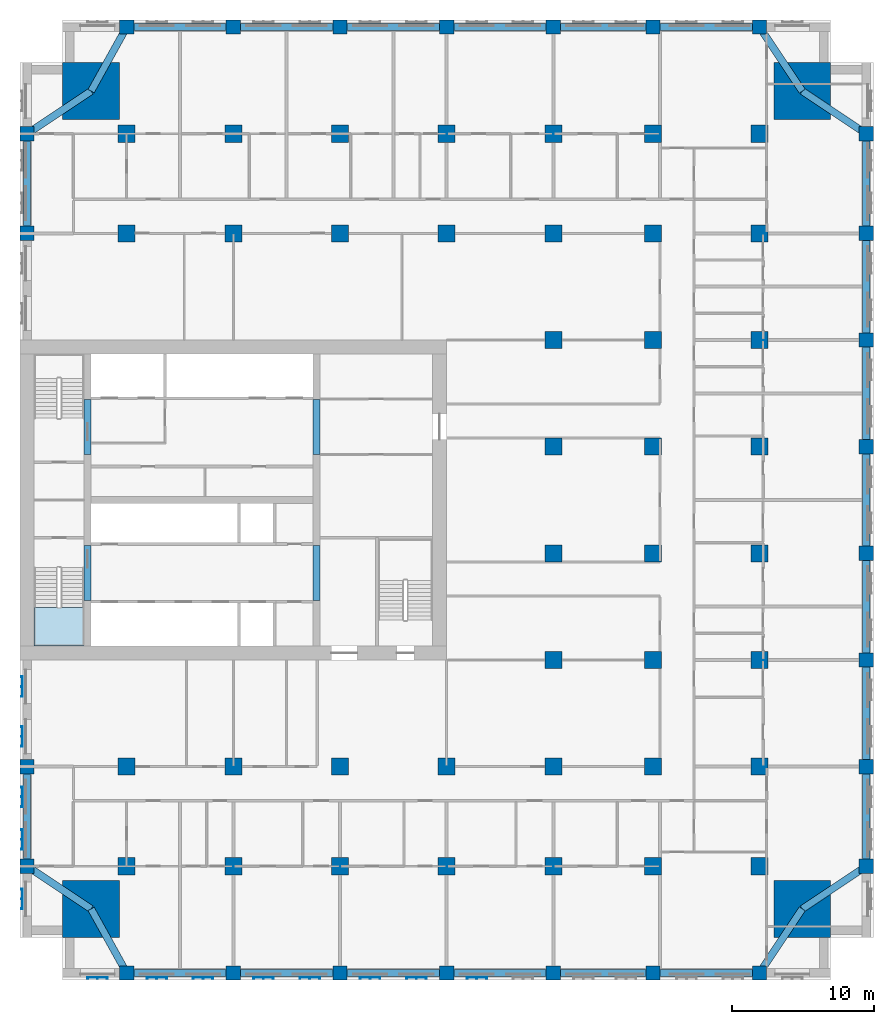
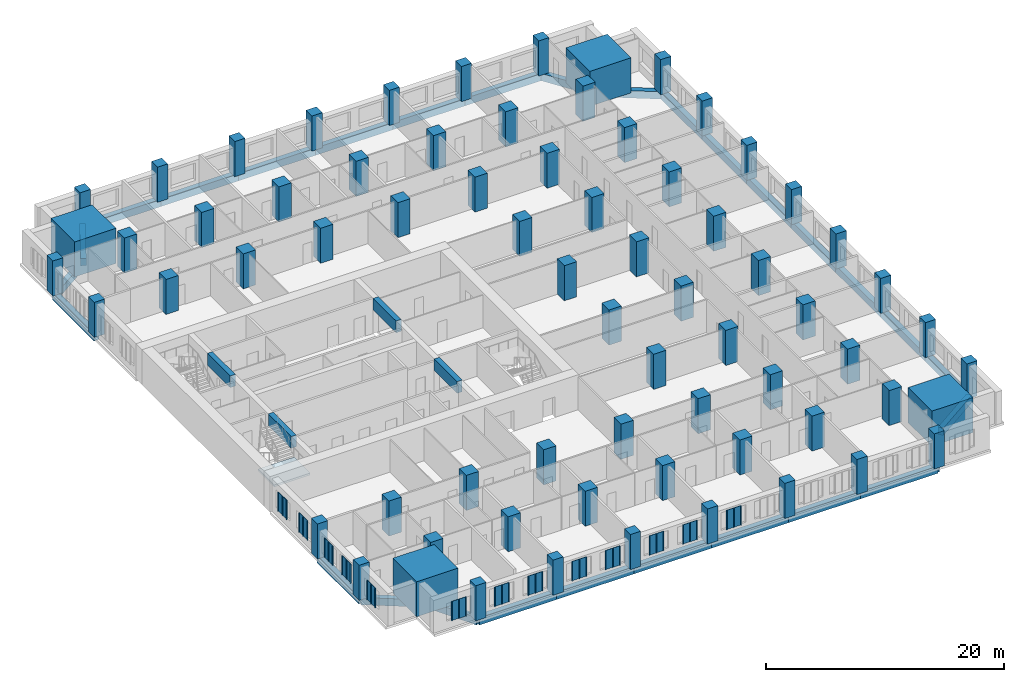
# One storey, part 1 of 14: 70 columns, 33 beams, 13 plates, 1 slab, 1 element without a shape of its own.
"""IFC4 building model written with IfcOpenShell, lengths in metres."""

from ifc_helpers import new_model, si_unit, direction, frame, origin, origin_2d, place, context, subcontext, project, spatial, polyline, rectangle, outline, extrude, material, layer, layer_set, material_profile, profile_set, type_object, element, aggregate, save


model = new_model("IFC4")

# Units and contexts
model_context = context("Model", 3, precision=1e-05, world=origin(), true_north=direction((0.0, 1.0)))
body_context = subcontext(model_context, "Body", "Model", "MODEL_VIEW")
ifc_project = project(units=[si_unit("LENGTHUNIT", "METRE"), si_unit("AREAUNIT", "SQUARE_METRE"), si_unit("VOLUMEUNIT", "CUBIC_METRE"), si_unit("PLANEANGLEUNIT", "RADIAN"), si_unit("MASSUNIT", "GRAM", prefix="KILO")], contexts=[model_context])

# Site, building, storey
site_placement = place(None, origin())
site = spatial("IfcSite", under=ifc_project, at=site_placement, CompositionType="ELEMENT")
building_placement = place(site_placement, origin())
building = spatial("IfcBuilding", under=site, at=building_placement, Name="Tamorin Gate", CompositionType="ELEMENT")
storey_placement = place(building_placement, frame((0.0, 0.0, 59.199951171875)))
storey = spatial("IfcBuildingStorey", under=building, at=storey_placement, Name="L13", CompositionType="ELEMENT", Elevation=59.199951171875)

# Columns
ifc_material_1 = material(Name="Concrete C80/95", Category="concrete")
ifc_material_profile_1 = material_profile(ifc_material_1, rectangle(XDim=1.0, YDim=1.0, at=origin_2d()), Name="RC 1000x1000")
ifc_profile_set_1 = profile_set([ifc_material_profile_1], Name="Concrete C80/95")
column_type_1 = type_object("IfcColumnType", Name="RC column 1000x1000 C80/95", PredefinedType="COLUMN", material=ifc_profile_set_1)
for number, where, z_axis, x_axis, name in (
    (1, (30.5, 45.5, 0.0), (0.0, 0.0, 1.0), (1.0, 0.0, 0.0), "Ring column L13"),
    (2, (30.5, 52.5, 0.0), (0.0, 0.0, 1.0), (1.0, 0.0, 0.0), "Ring column L13"),
    (3, (30.5, 90.0, 0.0), (0.0, 0.0, 1.0), (1.0, 0.0, 0.0), "Ring column L13"),
    (4, (30.5, 97.0, 0.0), (0.0, 0.0, 1.0), (1.0, 0.0, 0.0), "Ring column L13"),
    (5, (37.5, 38.0, 0.0), (0.0, 0.0, 1.0), (1.0, 0.0, 0.0), "Ring column L13"),
    (6, (37.5, 104.5, 0.0), (0.0, 0.0, 1.0), (1.0, 0.0, 0.0), "Ring column L13"),
    (7, (45.0, 38.0, 0.0), (0.0, 0.0, 1.0), (1.0, 0.0, 0.0), "Ring column L13"),
    (8, (45.0, 104.5, 0.0), (0.0, 0.0, 1.0), (1.0, 0.0, 0.0), "Ring column L13"),
    (9, (52.5, 38.0, 0.0), (0.0, 0.0, 1.0), (1.0, 0.0, 0.0), "Ring column L13"),
    (10, (52.5, 104.5, 0.0), (0.0, 0.0, 1.0), (1.0, 0.0, 0.0), "Ring column L13"),
    (11, (60.0, 38.0, 0.0), (0.0, 0.0, 1.0), (1.0, 0.0, 0.0), "Ring column L13"),
    (12, (60.0, 104.5, 0.0), (0.0, 0.0, 1.0), (1.0, 0.0, 0.0), "Ring column L13"),
    (13, (67.5, 38.0, 0.0), (0.0, 0.0, 1.0), (1.0, 0.0, 0.0), "Ring column L13"),
    (14, (67.5, 104.5, 0.0), (0.0, 0.0, 1.0), (1.0, 0.0, 0.0), "Ring column L13"),
    (15, (74.5, 38.0, 0.0), (0.0, 0.0, 1.0), (1.0, 0.0, 0.0), "Ring column L13"),
    (16, (74.5, 104.5, 0.0), (0.0, 0.0, 1.0), (1.0, 0.0, 0.0), "Ring column L13"),
    (17, (82.0, 38.0, 0.0), (0.0, 0.0, 1.0), (1.0, 0.0, 0.0), "Ring column L13"),
    (18, (82.0, 104.5, 0.0), (0.0, 0.0, 1.0), (1.0, 0.0, 0.0), "Ring column L13"),
    (19, (89.5, 45.5, 0.0), (0.0, 0.0, 1.0), (1.0, 0.0, 0.0), "Ring column L13"),
    (20, (89.5, 52.5, 0.0), (0.0, 0.0, 1.0), (1.0, 0.0, 0.0), "Ring column L13"),
    (21, (89.5, 60.0, 0.0), (0.0, 0.0, 1.0), (1.0, 0.0, 0.0), "Ring column L13"),
    (22, (89.5, 67.5, 0.0), (0.0, 0.0, 1.0), (1.0, 0.0, 0.0), "Ring column L13"),
    (23, (89.5, 75.0, 0.0), (0.0, 0.0, 1.0), (1.0, 0.0, 0.0), "Ring column L13"),
    (24, (89.5, 82.5, 0.0), (0.0, 0.0, 1.0), (1.0, 0.0, 0.0), "Ring column L13"),
    (25, (89.5, 90.0, 0.0), (0.0, 0.0, 1.0), (1.0, 0.0, 0.0), "Ring column L13"),
    (26, (89.5, 97.0, 0.0), (0.0, 0.0, 1.0), (1.0, 0.0, 0.0), "Ring column L13"),
):
    element("IfcColumn", number, at=place(storey_placement, frame(where, z_axis=z_axis, x_axis=x_axis)), inside=storey, type_object=column_type_1, Name=name, PredefinedType="COLUMN", context=body_context, shape_type="SweptSolid", body=[
        extrude(rectangle(XDim=1.0, YDim=1.0, at=origin_2d()), origin(), (0.0, 0.0, 1.0), 3.60009765625),
    ])
ifc_material_profile_2 = material_profile(ifc_material_1, rectangle(XDim=1.199951171875, YDim=1.199951171875, at=origin_2d()), Name="RC 1200x1200")
ifc_profile_set_2 = profile_set([ifc_material_profile_2], Name="Concrete C80/95")
column_type_2 = type_object("IfcColumnType", Name="RC column 1200x1200 C80/95", PredefinedType="COLUMN", material=ifc_profile_set_2)
for number, where, z_axis, x_axis, name in (
    (27, (37.5, 45.5, 0.0), (0.0, 0.0, 1.0), (1.0, 0.0, 0.0), "Interior column L13"),
    (28, (37.5, 52.5, 0.0), (0.0, 0.0, 1.0), (1.0, 0.0, 0.0), "Interior column L13"),
    (29, (37.5, 90.0, 0.0), (0.0, 0.0, 1.0), (1.0, 0.0, 0.0), "Interior column L13"),
    (30, (37.5, 97.0, 0.0), (0.0, 0.0, 1.0), (1.0, 0.0, 0.0), "Interior column L13"),
    (31, (45.0, 45.5, 0.0), (0.0, 0.0, 1.0), (1.0, 0.0, 0.0), "Interior column L13"),
    (32, (45.0, 52.5, 0.0), (0.0, 0.0, 1.0), (1.0, 0.0, 0.0), "Interior column L13"),
    (33, (45.0, 90.0, 0.0), (0.0, 0.0, 1.0), (1.0, 0.0, 0.0), "Interior column L13"),
    (34, (45.0, 97.0, 0.0), (0.0, 0.0, 1.0), (1.0, 0.0, 0.0), "Interior column L13"),
    (35, (52.5, 45.5, 0.0), (0.0, 0.0, 1.0), (1.0, 0.0, 0.0), "Interior column L13"),
    (36, (52.5, 52.5, 0.0), (0.0, 0.0, 1.0), (1.0, 0.0, 0.0), "Interior column L13"),
    (37, (52.5, 90.0, 0.0), (0.0, 0.0, 1.0), (1.0, 0.0, 0.0), "Interior column L13"),
    (38, (52.5, 97.0, 0.0), (0.0, 0.0, 1.0), (1.0, 0.0, 0.0), "Interior column L13"),
    (39, (60.0, 45.5, 0.0), (0.0, 0.0, 1.0), (1.0, 0.0, 0.0), "Interior column L13"),
    (40, (60.0, 52.5, 0.0), (0.0, 0.0, 1.0), (1.0, 0.0, 0.0), "Interior column L13"),
    (41, (60.0, 90.0, 0.0), (0.0, 0.0, 1.0), (1.0, 0.0, 0.0), "Interior column L13"),
    (42, (60.0, 97.0, 0.0), (0.0, 0.0, 1.0), (1.0, 0.0, 0.0), "Interior column L13"),
    (43, (67.5, 45.5, 0.0), (0.0, 0.0, 1.0), (1.0, 0.0, 0.0), "Interior column L13"),
    (44, (67.5, 52.5, 0.0), (0.0, 0.0, 1.0), (1.0, 0.0, 0.0), "Interior column L13"),
    (45, (67.5, 60.0, 0.0), (0.0, 0.0, 1.0), (1.0, 0.0, 0.0), "Interior column L13"),
    (46, (67.5, 67.5, 0.0), (0.0, 0.0, 1.0), (1.0, 0.0, 0.0), "Interior column L13"),
    (47, (67.5, 75.0, 0.0), (0.0, 0.0, 1.0), (1.0, 0.0, 0.0), "Interior column L13"),
    (48, (67.5, 82.5, 0.0), (0.0, 0.0, 1.0), (1.0, 0.0, 0.0), "Interior column L13"),
    (49, (67.5, 90.0, 0.0), (0.0, 0.0, 1.0), (1.0, 0.0, 0.0), "Interior column L13"),
    (50, (67.5, 97.0, 0.0), (0.0, 0.0, 1.0), (1.0, 0.0, 0.0), "Interior column L13"),
    (51, (74.5, 45.5, 0.0), (0.0, 0.0, 1.0), (1.0, 0.0, 0.0), "Interior column L13"),
    (52, (74.5, 52.5, 0.0), (0.0, 0.0, 1.0), (1.0, 0.0, 0.0), "Interior column L13"),
    (53, (74.5, 60.0, 0.0), (0.0, 0.0, 1.0), (1.0, 0.0, 0.0), "Interior column L13"),
    (54, (74.5, 67.5, 0.0), (0.0, 0.0, 1.0), (1.0, 0.0, 0.0), "Interior column L13"),
    (55, (74.5, 75.0, 0.0), (0.0, 0.0, 1.0), (1.0, 0.0, 0.0), "Interior column L13"),
    (56, (74.5, 82.5, 0.0), (0.0, 0.0, 1.0), (1.0, 0.0, 0.0), "Interior column L13"),
    (57, (74.5, 90.0, 0.0), (0.0, 0.0, 1.0), (1.0, 0.0, 0.0), "Interior column L13"),
    (58, (74.5, 97.0, 0.0), (0.0, 0.0, 1.0), (1.0, 0.0, 0.0), "Interior column L13"),
    (59, (82.0, 45.5, 0.0), (0.0, 0.0, 1.0), (1.0, 0.0, 0.0), "Interior column L13"),
    (60, (82.0, 52.5, 0.0), (0.0, 0.0, 1.0), (1.0, 0.0, 0.0), "Interior column L13"),
    (61, (82.0, 60.0, 0.0), (0.0, 0.0, 1.0), (1.0, 0.0, 0.0), "Interior column L13"),
    (62, (82.0, 67.5, 0.0), (0.0, 0.0, 1.0), (1.0, 0.0, 0.0), "Interior column L13"),
    (63, (82.0, 75.0, 0.0), (0.0, 0.0, 1.0), (1.0, 0.0, 0.0), "Interior column L13"),
    (64, (82.0, 82.5, 0.0), (0.0, 0.0, 1.0), (1.0, 0.0, 0.0), "Interior column L13"),
    (65, (82.0, 90.0, 0.0), (0.0, 0.0, 1.0), (1.0, 0.0, 0.0), "Interior column L13"),
    (66, (82.0, 97.0, 0.0), (0.0, 0.0, 1.0), (1.0, 0.0, 0.0), "Interior column L13"),
):
    element("IfcColumn", number, at=place(storey_placement, frame(where, z_axis=z_axis, x_axis=x_axis)), inside=storey, type_object=column_type_2, Name=name, PredefinedType="COLUMN", context=body_context, shape_type="SweptSolid", body=[
        extrude(rectangle(XDim=1.199951171875, YDim=1.199951171875, at=origin_2d()), origin(), (0.0, 0.0, 1.0), 3.60009765625),
    ])
ifc_material_profile_3 = material_profile(ifc_material_1, rectangle(XDim=4.0, YDim=4.0, at=origin_2d()), Name="RC 4000x4000")
ifc_profile_set_3 = profile_set([ifc_material_profile_3], Name="Concrete C80/95")
column_type_3 = type_object("IfcColumnType", Name="RC column 4000x4000 C80/95", PredefinedType="COLUMN", material=ifc_profile_set_3)
for number, where, z_axis, x_axis, name in (
    (67, (35.0, 42.5, 0.0), (0.0, 0.0, 1.0), (1.0, 0.0, 0.0), "Mega column SW L13"),
    (68, (85.0, 42.5, 0.0), (0.0, 0.0, 1.0), (1.0, 0.0, 0.0), "Mega column SE L13"),
    (69, (35.0, 100.0, 0.0), (0.0, 0.0, 1.0), (1.0, 0.0, 0.0), "Mega column NW L13"),
    (70, (85.0, 100.0, 0.0), (0.0, 0.0, 1.0), (1.0, 0.0, 0.0), "Mega column NE L13"),
):
    element("IfcColumn", number, at=place(storey_placement, frame(where, z_axis=z_axis, x_axis=x_axis)), inside=storey, type_object=column_type_3, Name=name, PredefinedType="COLUMN", context=body_context, shape_type="SweptSolid", body=[
        extrude(rectangle(XDim=4.0, YDim=4.0, at=origin_2d()), origin(), (0.0, 0.0, 1.0), 3.60009765625),
    ])

# Beams
ifc_material_profile_4 = material_profile(ifc_material_1, rectangle(XDim=0.5, YDim=1.199951171875, at=origin_2d()), Name="RC 500x1200")
ifc_profile_set_4 = profile_set([ifc_material_profile_4], Name="Concrete C80/95")
beam_type_1 = type_object("IfcBeamType", Name="RC coupling beam 500x1200 C80/95", PredefinedType="BEAM", material=ifc_profile_set_4)
for number, where, z_axis, x_axis, name in (
    (71, (34.75, 64.199951171875, 3.0), (0.0, 1.0, 0.0), (-1.0, 0.0, 0.0), "Coupling beam L13"),
    (72, (34.75, 74.449951171875, 3.0), (0.0, 1.0, 0.0), (-1.0, 0.0, 0.0), "Coupling beam L13"),
    (73, (50.85009765625, 64.199951171875, 3.0), (0.0, 1.0, 0.0), (-1.0, 0.0, 0.0), "Coupling beam L13"),
    (74, (50.85009765625, 74.449951171875, 3.0), (0.0, 1.0, 0.0), (-1.0, 0.0, 0.0), "Coupling beam L13"),
):
    element("IfcBeam", number, at=place(storey_placement, frame(where, z_axis=z_axis, x_axis=x_axis)), inside=storey, type_object=beam_type_1, Name=name, PredefinedType="BEAM", context=body_context, shape_type="SweptSolid", body=[
        extrude(rectangle(XDim=0.5, YDim=1.199951171875, at=origin_2d()), origin(), (0.0, 0.0, 1.0), 3.85009765625),
    ])
ifc_material_2 = material(Name="Concrete C50/60", Category="concrete")
ifc_material_profile_5 = material_profile(ifc_material_2, rectangle(XDim=0.5, YDim=0.75, at=origin_2d()), Name="RC 500x750")
ifc_profile_set_5 = profile_set([ifc_material_profile_5], Name="Concrete C50/60")
beam_type_2 = type_object("IfcBeamType", Name="RC spandrel 500x750 C50/60", PredefinedType="BEAM", material=ifc_profile_set_5)
for number, where, z_axis, x_axis, name in (
    (75, (37.5, 38.0, -0.375), (1.0, 0.0, 0.0), (0.0, 1.0, 0.0), "Spandrel beam L13"),
    (76, (45.0, 38.0, -0.375), (1.0, 0.0, 0.0), (0.0, 1.0, 0.0), "Spandrel beam L13"),
    (77, (52.5, 38.0, -0.375), (1.0, 0.0, 0.0), (0.0, 1.0, 0.0), "Spandrel beam L13"),
    (78, (60.0, 38.0, -0.375), (1.0, 0.0, 0.0), (0.0, 1.0, 0.0), "Spandrel beam L13"),
):
    element("IfcBeam", number, at=place(storey_placement, frame(where, z_axis=z_axis, x_axis=x_axis)), inside=storey, type_object=beam_type_2, Name=name, PredefinedType="BEAM", context=body_context, shape_type="SweptSolid", body=[
        extrude(rectangle(XDim=0.5, YDim=0.75, at=origin_2d()), origin(), (0.0, 0.0, 1.0), 7.5),
    ])
beam_1_placement = place(storey_placement, frame((67.5, 38.0, -0.375), z_axis=(1.0, 0.0, 0.0), x_axis=(0.0, 1.0, 0.0)))
element("IfcBeam", 79, at=beam_1_placement, inside=storey, type_object=beam_type_2, Name="Spandrel beam L13", PredefinedType="BEAM", context=body_context, shape_type="SweptSolid", body=[
    extrude(rectangle(XDim=0.5, YDim=0.75, at=origin_2d()), origin(), (0.0, 0.0, 1.0), 7.0),
])
beam_2_placement = place(storey_placement, frame((74.5, 38.0, -0.375), z_axis=(1.0, 0.0, 0.0), x_axis=(0.0, 1.0, 0.0)))
element("IfcBeam", 80, at=beam_2_placement, inside=storey, type_object=beam_type_2, Name="Spandrel beam L13", PredefinedType="BEAM", context=body_context, shape_type="SweptSolid", body=[
    extrude(rectangle(XDim=0.5, YDim=0.75, at=origin_2d()), origin(), (0.0, 0.0, 1.0), 7.5),
])
beam_3_placement = place(storey_placement, frame((89.5, 45.5, -0.375), z_axis=(0.0, 1.0, 0.0), x_axis=(-1.0, 0.0, 0.0)))
element("IfcBeam", 81, at=beam_3_placement, inside=storey, type_object=beam_type_2, Name="Spandrel beam L13", PredefinedType="BEAM", context=body_context, shape_type="SweptSolid", body=[
    extrude(rectangle(XDim=0.5, YDim=0.75, at=origin_2d()), origin(), (0.0, 0.0, 1.0), 7.0),
])
for number, where, z_axis, x_axis, name in (
    (82, (89.5, 52.5, -0.375), (0.0, 1.0, 0.0), (-1.0, 0.0, 0.0), "Spandrel beam L13"),
    (83, (89.5, 60.0, -0.375), (0.0, 1.0, 0.0), (-1.0, 0.0, 0.0), "Spandrel beam L13"),
    (84, (89.5, 67.5, -0.375), (0.0, 1.0, 0.0), (-1.0, 0.0, 0.0), "Spandrel beam L13"),
    (85, (89.5, 75.0, -0.375), (0.0, 1.0, 0.0), (-1.0, 0.0, 0.0), "Spandrel beam L13"),
    (86, (89.5, 82.5, -0.375), (0.0, 1.0, 0.0), (-1.0, 0.0, 0.0), "Spandrel beam L13"),
):
    element("IfcBeam", number, at=place(storey_placement, frame(where, z_axis=z_axis, x_axis=x_axis)), inside=storey, type_object=beam_type_2, Name=name, PredefinedType="BEAM", context=body_context, shape_type="SweptSolid", body=[
        extrude(rectangle(XDim=0.5, YDim=0.75, at=origin_2d()), origin(), (0.0, 0.0, 1.0), 7.5),
    ])
beam_4_placement = place(storey_placement, frame((89.5, 90.0, -0.375), z_axis=(0.0, 1.0, 0.0), x_axis=(-1.0, 0.0, 0.0)))
element("IfcBeam", 87, at=beam_4_placement, inside=storey, type_object=beam_type_2, Name="Spandrel beam L13", PredefinedType="BEAM", context=body_context, shape_type="SweptSolid", body=[
    extrude(rectangle(XDim=0.5, YDim=0.75, at=origin_2d()), origin(), (0.0, 0.0, 1.0), 7.0),
])
beam_5_placement = place(storey_placement, frame((82.0, 104.5, -0.375), z_axis=(-1.0, 0.0, 0.0), x_axis=(0.0, -1.0, 0.0)))
element("IfcBeam", 88, at=beam_5_placement, inside=storey, type_object=beam_type_2, Name="Spandrel beam L13", PredefinedType="BEAM", context=body_context, shape_type="SweptSolid", body=[
    extrude(rectangle(XDim=0.5, YDim=0.75, at=origin_2d()), origin(), (0.0, 0.0, 1.0), 7.5),
])
beam_6_placement = place(storey_placement, frame((74.5, 104.5, -0.375), z_axis=(-1.0, 0.0, 0.0), x_axis=(0.0, -1.0, 0.0)))
element("IfcBeam", 89, at=beam_6_placement, inside=storey, type_object=beam_type_2, Name="Spandrel beam L13", PredefinedType="BEAM", context=body_context, shape_type="SweptSolid", body=[
    extrude(rectangle(XDim=0.5, YDim=0.75, at=origin_2d()), origin(), (0.0, 0.0, 1.0), 7.0),
])
for number, where, z_axis, x_axis, name in (
    (90, (67.5, 104.5, -0.375), (-1.0, 0.0, 0.0), (0.0, -1.0, 0.0), "Spandrel beam L13"),
    (91, (60.0, 104.5, -0.375), (-1.0, 0.0, 0.0), (0.0, -1.0, 0.0), "Spandrel beam L13"),
    (92, (52.5, 104.5, -0.375), (-1.0, 0.0, 0.0), (0.0, -1.0, 0.0), "Spandrel beam L13"),
    (93, (45.0, 104.5, -0.375), (-1.0, 0.0, 0.0), (0.0, -1.0, 0.0), "Spandrel beam L13"),
):
    element("IfcBeam", number, at=place(storey_placement, frame(where, z_axis=z_axis, x_axis=x_axis)), inside=storey, type_object=beam_type_2, Name=name, PredefinedType="BEAM", context=body_context, shape_type="SweptSolid", body=[
        extrude(rectangle(XDim=0.5, YDim=0.75, at=origin_2d()), origin(), (0.0, 0.0, 1.0), 7.5),
    ])
for number, where, z_axis, x_axis, name in (
    (94, (30.5, 97.0, -0.375), (0.0, -1.0, 0.0), (1.0, 0.0, 0.0), "Spandrel beam L13"),
    (95, (30.5, 52.5, -0.375), (0.0, -1.0, 0.0), (1.0, 0.0, 0.0), "Spandrel beam L13"),
):
    element("IfcBeam", number, at=place(storey_placement, frame(where, z_axis=z_axis, x_axis=x_axis)), inside=storey, type_object=beam_type_2, Name=name, PredefinedType="BEAM", context=body_context, shape_type="SweptSolid", body=[
        extrude(rectangle(XDim=0.5, YDim=0.75, at=origin_2d()), origin(), (0.0, 0.0, 1.0), 7.0),
    ])
beam_7_placement = place(storey_placement, frame((35.0, 42.5, -0.375), z_axis=(0.485642931179, -0.874157276122, 0.0), x_axis=(0.874157276122, 0.485642931179, 0.0)))
element("IfcBeam", 96, at=beam_7_placement, inside=storey, type_object=beam_type_2, Name="Corner tie beam L13", PredefinedType="BEAM", context=body_context, shape_type="SweptSolid", body=[
    extrude(rectangle(XDim=0.5, YDim=0.75, at=origin_2d()), origin(), (0.0, 0.0, 1.0), 5.147705078125),
])
for number, where, z_axis, x_axis, name in (
    (97, (35.0, 42.5, -0.375), (-0.832050294338, 0.554700196225, 0.0), (-0.554700196225, -0.832050294338, 0.0), "Corner tie beam L13"),
    (98, (85.0, 42.5, -0.375), (-0.554700196225, -0.832050294338, 0.0), (0.832050294338, -0.554700196225, 0.0), "Corner tie beam L13"),
    (99, (85.0, 42.5, -0.375), (0.832050294338, 0.554700196225, 0.0), (-0.554700196225, 0.832050294338, 0.0), "Corner tie beam L13"),
):
    element("IfcBeam", number, at=place(storey_placement, frame(where, z_axis=z_axis, x_axis=x_axis)), inside=storey, type_object=beam_type_2, Name=name, PredefinedType="BEAM", context=body_context, shape_type="SweptSolid", body=[
        extrude(rectangle(XDim=0.5, YDim=0.75, at=origin_2d()), origin(), (0.0, 0.0, 1.0), 5.408447265625),
    ])
beam_8_placement = place(storey_placement, frame((35.0, 100.0, -0.375), z_axis=(0.485642931179, 0.874157276122, 0.0), x_axis=(-0.874157276122, 0.485642931179, 0.0)))
element("IfcBeam", 100, at=beam_8_placement, inside=storey, type_object=beam_type_2, Name="Corner tie beam L13", PredefinedType="BEAM", context=body_context, shape_type="SweptSolid", body=[
    extrude(rectangle(XDim=0.5, YDim=0.75, at=origin_2d()), origin(), (0.0, 0.0, 1.0), 5.147705078125),
])
for number, where, z_axis, x_axis, name in (
    (101, (35.0, 100.0, -0.375), (-0.832050294338, -0.554700196225, 0.0), (0.554700196225, -0.832050294338, 0.0), "Corner tie beam L13"),
    (102, (85.0, 100.0, -0.375), (-0.554700196225, 0.832050294338, 0.0), (-0.832050294338, -0.554700196225, 0.0), "Corner tie beam L13"),
    (103, (85.0, 100.0, -0.375), (0.832050294338, -0.554700196225, 0.0), (0.554700196225, 0.832050294338, 0.0), "Corner tie beam L13"),
):
    element("IfcBeam", number, at=place(storey_placement, frame(where, z_axis=z_axis, x_axis=x_axis)), inside=storey, type_object=beam_type_2, Name=name, PredefinedType="BEAM", context=body_context, shape_type="SweptSolid", body=[
        extrude(rectangle(XDim=0.5, YDim=0.75, at=origin_2d()), origin(), (0.0, 0.0, 1.0), 5.408447265625),
    ])

# Stair, slab
ifc_material_3 = material(Name="Concrete C40/50", Category="concrete")
stair_type = type_object("IfcStairType", Name="Exit stair", PredefinedType="HALF_TURN_STAIR", material=ifc_material_3)
stair_placement = place(storey_placement, origin())
stair = element("IfcStair", 104, at=stair_placement, inside=storey, type_object=stair_type, Name="L13 stair ST1", PredefinedType="HALF_TURN_STAIR")
ifc_layer_1 = layer(ifc_material_3, 0.199951171875)
ifc_layer_set_1 = layer_set([ifc_layer_1], Name="Exit stair landing 200")
slab_type = type_object("IfcSlabType", Name="Exit stair landing 200", PredefinedType="LANDING", material=ifc_layer_set_1)
slab_placement = place(storey_placement, frame((0.0, 0.0, 1.60009765625)))
slab = element("IfcSlab", 105, at=slab_placement, type_object=slab_type, Name="ST1 landing 1", PredefinedType="LANDING", context=body_context, shape_type="SweptSolid", body=[
    extrude(outline(polyline([(31.0, 63.699951171875), (31.0, 61.0), (34.5, 61.0), (34.5, 63.699951171875), (31.0, 63.699951171875)])), origin(), (0.0, 0.0, 1.0), 0.199951171875),
])
aggregate(stair, [slab])

# Plates
ifc_material_4 = material(Name="Perforated pale aluminium sheet", Category="aluminium")
ifc_layer_2 = layer(ifc_material_4, 0.0400390625)
ifc_layer_set_2 = layer_set([ifc_layer_2], Name="Pale metal solar screen 1440")
plate_type = type_object("IfcPlateType", Name="Pale metal solar screen 1440", PredefinedType="SHEET", material=ifc_layer_set_2)
plate_1_placement = place(storey_placement, frame((0.0, 0.0, 0.7099609375)))
element("IfcPlate", 106, at=plate_1_placement, inside=storey, type_object=plate_type, Name="Perforated solar screen", PredefinedType="SHEET", context=body_context, shape_type="SweptSolid", body=[
    extrude(outline(polyline([(34.72998046875, 37.659912109375), (34.72998046875, 37.699951171875), (34.7900390625, 37.699951171875), (35.419921875, 37.699951171875), (35.47998046875, 37.699951171875), (36.110107421875, 37.699951171875), (36.169921875, 37.699951171875), (36.169921875, 37.659912109375), (36.169921875, 37.60009765625), (36.110107421875, 37.60009765625), (36.110107421875, 37.659912109375), (35.47998046875, 37.659912109375), (35.47998046875, 37.60009765625), (35.419921875, 37.60009765625), (35.419921875, 37.659912109375), (34.7900390625, 37.659912109375), (34.7900390625, 37.60009765625), (34.72998046875, 37.60009765625), (34.72998046875, 37.659912109375)])), origin(), (0.0, 0.0, 1.0), 1.97998046875),
])
plate_2_placement = place(storey_placement, frame((0.0, 0.0, 0.7099609375)))
element("IfcPlate", 107, at=plate_2_placement, inside=storey, type_object=plate_type, Name="Perforated solar screen", PredefinedType="SHEET", context=body_context, shape_type="SweptSolid", body=[
    extrude(outline(polyline([(38.905029296875, 37.659912109375), (38.905029296875, 37.699951171875), (38.965087890625, 37.699951171875), (39.594970703125, 37.699951171875), (39.655029296875, 37.699951171875), (40.284912109375, 37.699951171875), (40.344970703125, 37.699951171875), (40.344970703125, 37.699951171875), (40.344970703125, 37.659912109375), (40.344970703125, 37.659912109375), (40.344970703125, 37.60009765625), (40.284912109375, 37.60009765625), (40.284912109375, 37.659912109375), (39.655029296875, 37.659912109375), (39.655029296875, 37.60009765625), (39.594970703125, 37.60009765625), (39.594970703125, 37.659912109375), (38.965087890625, 37.659912109375), (38.965087890625, 37.60009765625), (38.905029296875, 37.60009765625), (38.905029296875, 37.659912109375)])), origin(), (0.0, 0.0, 1.0), 1.97998046875),
])
plate_3_placement = place(storey_placement, frame((0.0, 0.0, 0.7099609375)))
element("IfcPlate", 108, at=plate_3_placement, inside=storey, type_object=plate_type, Name="Perforated solar screen", PredefinedType="SHEET", context=body_context, shape_type="SweptSolid", body=[
    extrude(outline(polyline([(42.155029296875, 37.659912109375), (42.155029296875, 37.699951171875), (42.215087890625, 37.699951171875), (42.844970703125, 37.699951171875), (42.905029296875, 37.699951171875), (43.534912109375, 37.699951171875), (43.594970703125, 37.699951171875), (43.594970703125, 37.659912109375), (43.594970703125, 37.60009765625), (43.534912109375, 37.60009765625), (43.534912109375, 37.659912109375), (42.905029296875, 37.659912109375), (42.905029296875, 37.60009765625), (42.844970703125, 37.60009765625), (42.844970703125, 37.659912109375), (42.215087890625, 37.659912109375), (42.215087890625, 37.60009765625), (42.155029296875, 37.60009765625), (42.155029296875, 37.659912109375)])), origin(), (0.0, 0.0, 1.0), 1.97998046875),
])
plate_4_placement = place(storey_placement, frame((0.0, 0.0, 0.7099609375)))
element("IfcPlate", 109, at=plate_4_placement, inside=storey, type_object=plate_type, Name="Perforated solar screen", PredefinedType="SHEET", context=body_context, shape_type="SweptSolid", body=[
    extrude(outline(polyline([(46.405029296875, 37.659912109375), (46.405029296875, 37.699951171875), (46.465087890625, 37.699951171875), (47.094970703125, 37.699951171875), (47.155029296875, 37.699951171875), (47.784912109375, 37.699951171875), (47.844970703125, 37.699951171875), (47.844970703125, 37.659912109375), (47.844970703125, 37.60009765625), (47.784912109375, 37.60009765625), (47.784912109375, 37.659912109375), (47.155029296875, 37.659912109375), (47.155029296875, 37.60009765625), (47.094970703125, 37.60009765625), (47.094970703125, 37.659912109375), (46.465087890625, 37.659912109375), (46.465087890625, 37.60009765625), (46.405029296875, 37.60009765625), (46.405029296875, 37.659912109375)])), origin(), (0.0, 0.0, 1.0), 1.97998046875),
])
plate_5_placement = place(storey_placement, frame((0.0, 0.0, 0.7099609375)))
element("IfcPlate", 110, at=plate_5_placement, inside=storey, type_object=plate_type, Name="Perforated solar screen", PredefinedType="SHEET", context=body_context, shape_type="SweptSolid", body=[
    extrude(outline(polyline([(49.655029296875, 37.659912109375), (49.655029296875, 37.699951171875), (49.715087890625, 37.699951171875), (50.344970703125, 37.699951171875), (50.405029296875, 37.699951171875), (51.034912109375, 37.699951171875), (51.094970703125, 37.699951171875), (51.094970703125, 37.659912109375), (51.094970703125, 37.60009765625), (51.034912109375, 37.60009765625), (51.034912109375, 37.659912109375), (50.405029296875, 37.659912109375), (50.405029296875, 37.60009765625), (50.344970703125, 37.60009765625), (50.344970703125, 37.659912109375), (49.715087890625, 37.659912109375), (49.715087890625, 37.60009765625), (49.655029296875, 37.60009765625), (49.655029296875, 37.659912109375)])), origin(), (0.0, 0.0, 1.0), 1.97998046875),
])
plate_6_placement = place(storey_placement, frame((0.0, 0.0, 0.7099609375)))
element("IfcPlate", 111, at=plate_6_placement, inside=storey, type_object=plate_type, Name="Perforated solar screen", PredefinedType="SHEET", context=body_context, shape_type="SweptSolid", body=[
    extrude(outline(polyline([(53.905029296875, 37.659912109375), (53.905029296875, 37.699951171875), (53.965087890625, 37.699951171875), (54.594970703125, 37.699951171875), (54.655029296875, 37.699951171875), (55.284912109375, 37.699951171875), (55.344970703125, 37.699951171875), (55.344970703125, 37.659912109375), (55.344970703125, 37.60009765625), (55.284912109375, 37.60009765625), (55.284912109375, 37.659912109375), (54.655029296875, 37.659912109375), (54.655029296875, 37.60009765625), (54.594970703125, 37.60009765625), (54.594970703125, 37.659912109375), (53.965087890625, 37.659912109375), (53.965087890625, 37.60009765625), (53.905029296875, 37.60009765625), (53.905029296875, 37.659912109375)])), origin(), (0.0, 0.0, 1.0), 1.97998046875),
])
plate_7_placement = place(storey_placement, frame((0.0, 0.0, 0.7099609375)))
element("IfcPlate", 112, at=plate_7_placement, inside=storey, type_object=plate_type, Name="Perforated solar screen", PredefinedType="SHEET", context=body_context, shape_type="SweptSolid", body=[
    extrude(outline(polyline([(57.155029296875, 37.659912109375), (57.155029296875, 37.699951171875), (57.215087890625, 37.699951171875), (57.844970703125, 37.699951171875), (57.905029296875, 37.699951171875), (58.534912109375, 37.699951171875), (58.594970703125, 37.699951171875), (58.594970703125, 37.659912109375), (58.594970703125, 37.60009765625), (58.534912109375, 37.60009765625), (58.534912109375, 37.659912109375), (57.905029296875, 37.659912109375), (57.905029296875, 37.60009765625), (57.844970703125, 37.60009765625), (57.844970703125, 37.659912109375), (57.215087890625, 37.659912109375), (57.215087890625, 37.60009765625), (57.155029296875, 37.60009765625), (57.155029296875, 37.659912109375)])), origin(), (0.0, 0.0, 1.0), 1.97998046875),
])
plate_8_placement = place(storey_placement, frame((0.0, 0.0, 0.7099609375)))
element("IfcPlate", 113, at=plate_8_placement, inside=storey, type_object=plate_type, Name="Perforated solar screen", PredefinedType="SHEET", context=body_context, shape_type="SweptSolid", body=[
    extrude(outline(polyline([(61.405029296875, 37.659912109375), (61.405029296875, 37.699951171875), (61.465087890625, 37.699951171875), (62.094970703125, 37.699951171875), (62.155029296875, 37.699951171875), (62.784912109375, 37.699951171875), (62.844970703125, 37.699951171875), (62.844970703125, 37.659912109375), (62.844970703125, 37.60009765625), (62.784912109375, 37.60009765625), (62.784912109375, 37.659912109375), (62.155029296875, 37.659912109375), (62.155029296875, 37.60009765625), (62.094970703125, 37.60009765625), (62.094970703125, 37.659912109375), (61.465087890625, 37.659912109375), (61.465087890625, 37.60009765625), (61.405029296875, 37.60009765625), (61.405029296875, 37.659912109375)])), origin(), (0.0, 0.0, 1.0), 1.97998046875),
])
plate_9_placement = place(storey_placement, frame((0.0, 0.0, 0.7099609375)))
element("IfcPlate", 114, at=plate_9_placement, inside=storey, type_object=plate_type, Name="Perforated solar screen", PredefinedType="SHEET", context=body_context, shape_type="SweptSolid", body=[
    extrude(outline(polyline([(30.159912109375, 55.344970703125), (30.199951171875, 55.344970703125), (30.199951171875, 55.284912109375), (30.199951171875, 54.655029296875), (30.199951171875, 54.594970703125), (30.199951171875, 53.965087890625), (30.199951171875, 53.905029296875), (30.159912109375, 53.905029296875), (30.10009765625, 53.905029296875), (30.10009765625, 53.965087890625), (30.159912109375, 53.965087890625), (30.159912109375, 54.594970703125), (30.10009765625, 54.594970703125), (30.10009765625, 54.655029296875), (30.159912109375, 54.655029296875), (30.159912109375, 55.284912109375), (30.10009765625, 55.284912109375), (30.10009765625, 55.344970703125), (30.159912109375, 55.344970703125)])), origin(), (0.0, 0.0, 1.0), 1.97998046875),
])
plate_10_placement = place(storey_placement, frame((0.0, 0.0, 0.7099609375)))
element("IfcPlate", 115, at=plate_10_placement, inside=storey, type_object=plate_type, Name="Perforated solar screen", PredefinedType="SHEET", context=body_context, shape_type="SweptSolid", body=[
    extrude(outline(polyline([(30.159912109375, 58.844970703125), (30.199951171875, 58.844970703125), (30.199951171875, 58.784912109375), (30.199951171875, 58.155029296875), (30.199951171875, 58.094970703125), (30.199951171875, 57.465087890625), (30.199951171875, 57.405029296875), (30.159912109375, 57.405029296875), (30.10009765625, 57.405029296875), (30.10009765625, 57.465087890625), (30.159912109375, 57.465087890625), (30.159912109375, 58.094970703125), (30.10009765625, 58.094970703125), (30.10009765625, 58.155029296875), (30.159912109375, 58.155029296875), (30.159912109375, 58.784912109375), (30.10009765625, 58.784912109375), (30.10009765625, 58.844970703125), (30.159912109375, 58.844970703125)])), origin(), (0.0, 0.0, 1.0), 1.97998046875),
])
plate_11_placement = place(storey_placement, frame((0.0, 0.0, 0.7099609375)))
element("IfcPlate", 116, at=plate_11_placement, inside=storey, type_object=plate_type, Name="Perforated solar screen", PredefinedType="SHEET", context=body_context, shape_type="SweptSolid", body=[
    extrude(outline(polyline([(30.159912109375, 48.094970703125), (30.199951171875, 48.094970703125), (30.199951171875, 48.034912109375), (30.199951171875, 47.405029296875), (30.199951171875, 47.344970703125), (30.199951171875, 46.715087890625), (30.199951171875, 46.655029296875), (30.159912109375, 46.655029296875), (30.10009765625, 46.655029296875), (30.10009765625, 46.715087890625), (30.159912109375, 46.715087890625), (30.159912109375, 47.344970703125), (30.10009765625, 47.344970703125), (30.10009765625, 47.405029296875), (30.159912109375, 47.405029296875), (30.159912109375, 48.034912109375), (30.10009765625, 48.034912109375), (30.10009765625, 48.094970703125), (30.159912109375, 48.094970703125)])), origin(), (0.0, 0.0, 1.0), 1.97998046875),
])
plate_12_placement = place(storey_placement, frame((0.0, 0.0, 0.7099609375)))
element("IfcPlate", 117, at=plate_12_placement, inside=storey, type_object=plate_type, Name="Perforated solar screen", PredefinedType="SHEET", context=body_context, shape_type="SweptSolid", body=[
    extrude(outline(polyline([(30.159912109375, 51.094970703125), (30.199951171875, 51.094970703125), (30.199951171875, 51.034912109375), (30.199951171875, 50.405029296875), (30.199951171875, 50.344970703125), (30.199951171875, 49.715087890625), (30.199951171875, 49.655029296875), (30.159912109375, 49.655029296875), (30.10009765625, 49.655029296875), (30.10009765625, 49.715087890625), (30.159912109375, 49.715087890625), (30.159912109375, 50.344970703125), (30.10009765625, 50.344970703125), (30.10009765625, 50.405029296875), (30.159912109375, 50.405029296875), (30.159912109375, 51.034912109375), (30.10009765625, 51.034912109375), (30.10009765625, 51.094970703125), (30.159912109375, 51.094970703125)])), origin(), (0.0, 0.0, 1.0), 1.97998046875),
])
plate_13_placement = place(storey_placement, frame((0.0, 0.0, 0.7099609375)))
element("IfcPlate", 118, at=plate_13_placement, inside=storey, type_object=plate_type, Name="Perforated solar screen", PredefinedType="SHEET", context=body_context, shape_type="SweptSolid", body=[
    extrude(outline(polyline([(30.159912109375, 43.919921875), (30.199951171875, 43.919921875), (30.199951171875, 43.860107421875), (30.199951171875, 43.22998046875), (30.199951171875, 43.169921875), (30.199951171875, 42.5400390625), (30.199951171875, 42.47998046875), (30.159912109375, 42.47998046875), (30.10009765625, 42.47998046875), (30.10009765625, 42.5400390625), (30.159912109375, 42.5400390625), (30.159912109375, 43.169921875), (30.10009765625, 43.169921875), (30.10009765625, 43.22998046875), (30.159912109375, 43.22998046875), (30.159912109375, 43.860107421875), (30.10009765625, 43.860107421875), (30.10009765625, 43.919921875), (30.159912109375, 43.919921875)])), origin(), (0.0, 0.0, 1.0), 1.97998046875),
])

save(model, "model.ifc")
